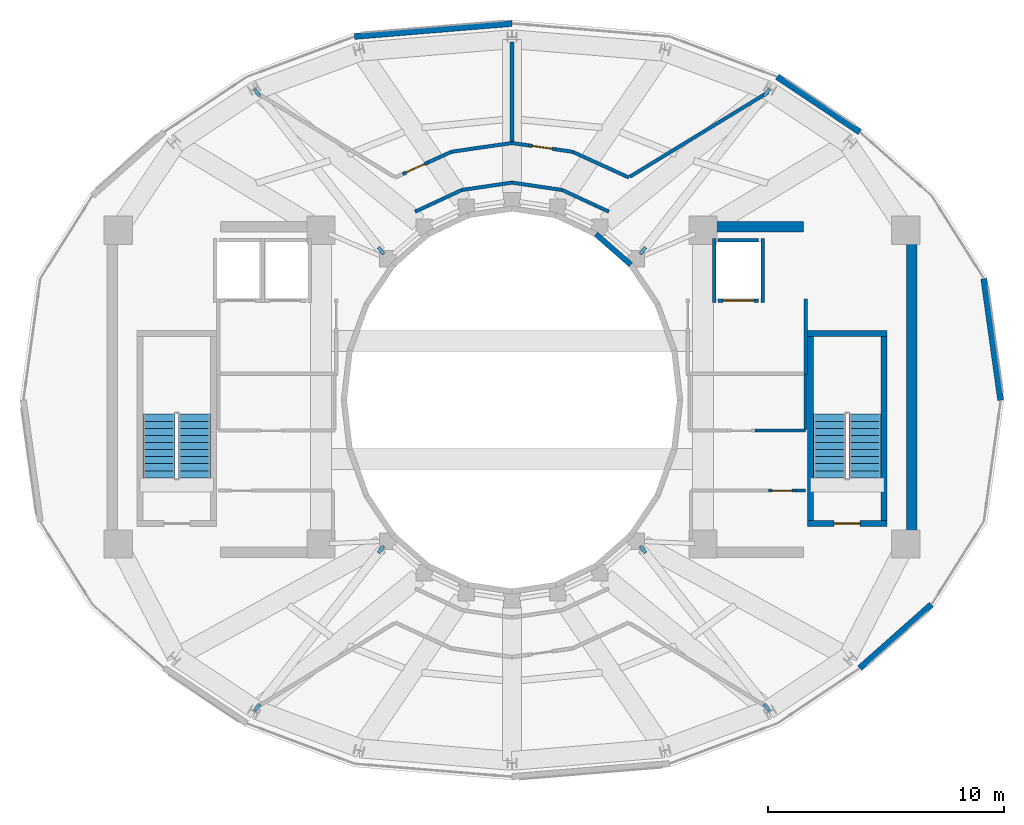
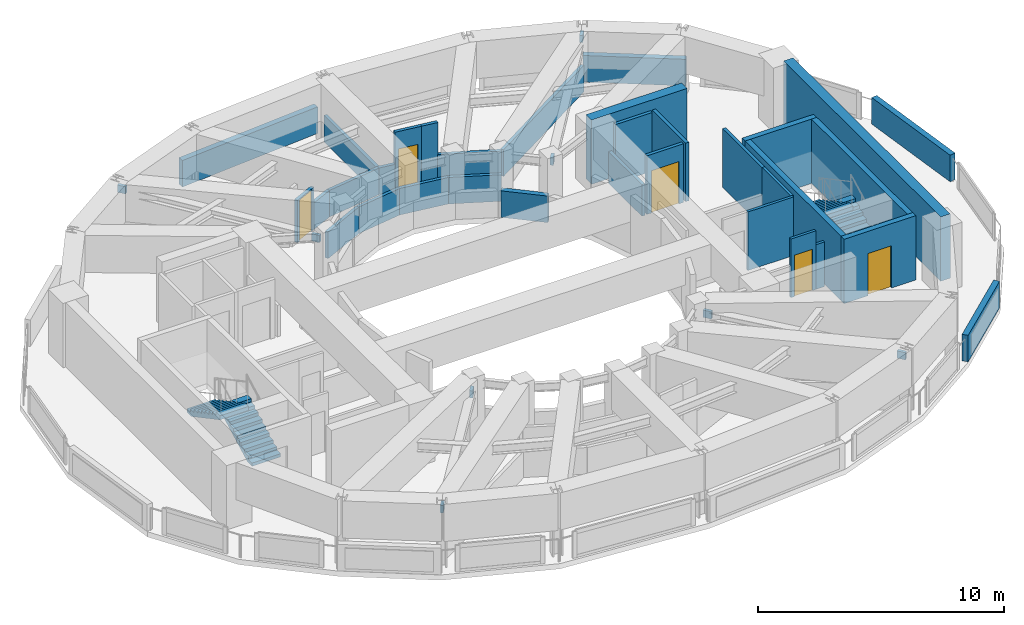
# One storey, part 15 of 18: 33 walls, 8 discrete accessories, 5 doors, 4 stair flights, 5 openings, 2 elements without a shape of their own.
"""IFC4 building model written with IfcOpenShell, lengths in metres."""

import ifcopenshell
import ifcopenshell.guid

model = None  # the IFC model being written
_history = None  # IfcOwnerHistory: only IFC2X3 demands one
_inside = {}  # id of a spatial element -> (the spatial element, [elements in it])
_under = {}  # id of a project, library or spatial element -> (it, [spatial elements below it])
_declared = {}  # id of a project -> (the project, [libraries it declares])
_typed = {}  # id of a type object -> (the type object, [elements of that type])
_made_of = {}  # id of a material, layer set ... -> (it, [elements and type objects made of it])


def new_model(schema):
    """Start an empty IFC model of exactly this schema.

    Asked for "IFC4X3", IfcOpenShell would pick the latest addendum, in which some entities
    have other attributes; the version numbers below select the first issue.
    IFC2X3 requires an IfcOwnerHistory on every rooted entity: one is made here for all.
    """
    global model, _history
    if schema == "IFC4X3":
        model = ifcopenshell.file(schema_version=(4, 3, 0, 0))
    else:
        model = ifcopenshell.file(schema=schema)
    _inside.clear()
    _under.clear()
    _declared.clear()
    _typed.clear()
    _made_of.clear()
    _history = None
    if model.schema == "IFC2X3":
        org = make("IfcOrganization", Name="unknown")
        user = make(
            "IfcPersonAndOrganization",
            ThePerson=make("IfcPerson", FamilyName="unknown"),
            TheOrganization=org,
        )
        app = make(
            "IfcApplication",
            ApplicationDeveloper=org,
            Version="unknown",
            ApplicationFullName="unknown",
            ApplicationIdentifier="unknown",
        )
        _history = make(
            "IfcOwnerHistory",
            OwningUser=user,
            OwningApplication=app,
            ChangeAction="ADDED",
            CreationDate=0,
        )
    return model


def make(cls, **values):
    """One entity of the class cls with the attributes given. An attribute that is None is left unset."""
    return model.create_entity(
        cls, **{name: value for name, value in values.items() if value is not None}
    )


def rooted(cls, **values):
    """An entity with a GlobalId (a new one), such as an element, a storey or a relation."""
    return make(cls, GlobalId=ifcopenshell.guid.new(), OwnerHistory=_history, **values)


def si_unit(unit_type, name, prefix=None):
    """IfcSIUnit, for example si_unit("LENGTHUNIT", "METRE", prefix="MILLI")."""
    return make("IfcSIUnit", UnitType=unit_type, Prefix=prefix, Name=name)


def assignment(units):
    """IfcUnitAssignment: the units of a project."""
    return None if units is None else make("IfcUnitAssignment", Units=units)


def point(xyz):
    """IfcCartesianPoint."""
    return None if xyz is None else make("IfcCartesianPoint", Coordinates=xyz)


def direction(xyz):
    """IfcDirection."""
    return None if xyz is None else make("IfcDirection", DirectionRatios=xyz)


def frame(location, z_axis=None, x_axis=None):
    """IfcAxis2Placement3D, a coordinate frame: its origin and axes. An axis left out is left unset."""
    return make(
        "IfcAxis2Placement3D",
        Location=point(location),
        Axis=direction(z_axis),
        RefDirection=direction(x_axis),
    )


def frame_2d(location, x_axis=None):
    """IfcAxis2Placement2D, a coordinate frame in the plane: its origin and x axis."""
    return make(
        "IfcAxis2Placement2D", Location=point(location), RefDirection=direction(x_axis)
    )


def origin():
    """The frame at (0, 0, 0) with its axes left unset."""
    return frame((0.0, 0.0, 0.0))


def origin_2d():
    """The frame at (0, 0) in the plane with its x axis left unset."""
    return frame_2d((0.0, 0.0))


def place(relative_to, where):
    """IfcLocalPlacement: puts the frame where relative to a parent placement (None: the world)."""
    return make(
        "IfcLocalPlacement", PlacementRelTo=relative_to, RelativePlacement=where
    )


def context(
    kind, dimensions, precision=None, world=None, true_north=None, identifier=None
):
    """IfcGeometricRepresentationContext, for example the 3D "Model" context."""
    return make(
        "IfcGeometricRepresentationContext",
        ContextIdentifier=identifier,
        ContextType=kind,
        CoordinateSpaceDimension=dimensions,
        Precision=precision,
        WorldCoordinateSystem=world,
        TrueNorth=true_north,
    )


def subcontext(parent, identifier, kind, view, scale=None):
    """IfcGeometricRepresentationSubContext, for example "Body" below "Model"."""
    return make(
        "IfcGeometricRepresentationSubContext",
        ContextIdentifier=identifier,
        ContextType=kind,
        ParentContext=parent,
        TargetScale=scale,
        TargetView=view,
    )


def project(units=None, contexts=None):
    """IfcProject with its units and contexts."""
    return rooted(
        "IfcProject",
        Name="project",
        RepresentationContexts=contexts,
        UnitsInContext=assignment(units),
    )


def spatial(cls, under=None, at=None, **own):
    """A site, building, storey or space (cls), placed at a placement, below another one or the project."""
    s = rooted(cls, ObjectPlacement=at, **own)
    if under is not None:
        _under.setdefault(under.id(), (under, []))[1].append(s)
    return s


def polyline(points):
    """IfcPolyline through the points."""
    return make("IfcPolyline", Points=[point(p) for p in points])


def profile(cls, at=None, kind="AREA", **sizes):
    """A parametric profile (cls). Its sizes go by their IFC names, for example OverallWidth=200.0."""
    return make(cls, ProfileType=kind, Position=at, **sizes)


def rectangle(**sizes):
    """IfcRectangleProfileDef."""
    return profile("IfcRectangleProfileDef", **sizes)


def outline(outer, holes=None, kind="AREA"):
    """IfcArbitraryClosedProfileDef: a profile drawn as a closed curve; with holes, ...WithVoids."""
    if holes is None:
        return make("IfcArbitraryClosedProfileDef", ProfileType=kind, OuterCurve=outer)
    return make(
        "IfcArbitraryProfileDefWithVoids",
        ProfileType=kind,
        OuterCurve=outer,
        InnerCurves=holes,
    )


def extrude(swept, where, along, depth):
    """IfcExtrudedAreaSolid: the profile swept, set in the frame where, extruded along a direction by depth."""
    return make(
        "IfcExtrudedAreaSolid",
        SweptArea=swept,
        Position=where,
        ExtrudedDirection=direction(along),
        Depth=depth,
    )


def shape(context_of_items, identifier, shape_type, items):
    """IfcShapeRepresentation: the items that make up one representation, for example the "Body"."""
    return make(
        "IfcShapeRepresentation",
        ContextOfItems=context_of_items,
        RepresentationIdentifier=identifier,
        RepresentationType=shape_type,
        Items=items,
    )


def material(Name=None, Category=None):
    """IfcMaterial."""
    return make("IfcMaterial", Name=Name, Category=Category)


def layer(
    of_material, thickness, ventilated=None, Name=None, Category=None, Priority=None
):
    """IfcMaterialLayer: one layer of a wall or slab, of a material (None: an air gap)."""
    return make(
        "IfcMaterialLayer",
        Material=of_material,
        LayerThickness=thickness,
        IsVentilated=ventilated,
        Name=Name,
        Category=Category,
        Priority=Priority,
    )


def layer_set(layers, Name=None):
    """IfcMaterialLayerSet."""
    return make("IfcMaterialLayerSet", MaterialLayers=layers, LayerSetName=Name)


def made_of(thing, what):
    """Note that an element or type object is made of a material, layer set ...; save() writes the relation."""
    if what is not None:
        _made_of.setdefault(what.id(), (what, []))[1].append(thing)
    return thing


def type_object(cls, material=None, **own):
    """A type object (cls), such as IfcWallType, which elements share."""
    return made_of(rooted(cls, **own), material)


def element(
    cls,
    number,
    at=None,
    inside=None,
    cuts=None,
    type_object=None,
    material=None,
    context=None,
    identifier="Body",
    shape_type=None,
    held_by="IfcProductDefinitionShape",
    body=None,
    shapes=None,
    **own,
):
    """One element of the class cls, such as IfcWall. Its Tag is "e" and its number.

    at: its placement. inside: the storey or other place that contains it. cuts: it is an
    opening in that element (IfcRelVoidsElement). A single representation is given by context,
    identifier, shape_type and body (its items); several are given by shapes. held_by: the class
    of the entity that holds the representations. save() writes the other relations.
    """
    e = rooted(cls, Tag="e%d" % number, ObjectPlacement=at, **own)
    if body is not None:
        shapes = [shape(context, identifier, shape_type, body)]
    if shapes is not None:
        e.Representation = make(held_by, Representations=shapes)
    if inside is not None:
        _inside.setdefault(inside.id(), (inside, []))[1].append(e)
    if cuts is not None:
        rooted(
            "IfcRelVoidsElement", RelatingBuildingElement=cuts, RelatedOpeningElement=e
        )
    if type_object is not None:
        _typed.setdefault(type_object.id(), (type_object, []))[1].append(e)
    return made_of(e, material)


def fill(opening, filler):
    """IfcRelFillsElement: the door or window that sits in an opening."""
    return rooted(
        "IfcRelFillsElement",
        RelatingOpeningElement=opening,
        RelatedBuildingElement=filler,
    )


def aggregate(whole, parts):
    """IfcRelAggregates: a whole, such as a stair, and the parts it consists of."""
    return rooted("IfcRelAggregates", RelatingObject=whole, RelatedObjects=parts)


def save(model, path):
    """Write the relations noted so far, then the file.

    IfcRelAggregates (storeys below a building ...), IfcRelContainedInSpatialStructure (elements
    in a storey), IfcRelDefinesByType, IfcRelAssociatesMaterial and IfcRelDeclares: one each for
    every whole, place, type object, material and project.
    """
    for whole, parts in _under.values():
        aggregate(whole, parts)
    for where, things in _inside.values():
        rooted(
            "IfcRelContainedInSpatialStructure",
            RelatedElements=things,
            RelatingStructure=where,
        )
    for kind, things in _typed.values():
        rooted("IfcRelDefinesByType", RelatedObjects=things, RelatingType=kind)
    for what, things in _made_of.values():
        rooted("IfcRelAssociatesMaterial", RelatedObjects=things, RelatingMaterial=what)
    for by, libraries in _declared.values():
        rooted("IfcRelDeclares", RelatingContext=by, RelatedDefinitions=libraries)
    model.write(path)


model = new_model("IFC4")

# Units and contexts
model_context = context("Model", 3, precision=1e-05, world=origin(), true_north=direction((0.0, 1.0)))
body_context = subcontext(model_context, "Body", "Model", "MODEL_VIEW")
ifc_project = project(units=[si_unit("LENGTHUNIT", "METRE"), si_unit("AREAUNIT", "SQUARE_METRE"), si_unit("VOLUMEUNIT", "CUBIC_METRE"), si_unit("PLANEANGLEUNIT", "RADIAN"), si_unit("MASSUNIT", "GRAM", prefix="KILO")], contexts=[model_context])

# Site, building, storey
site_placement = place(None, origin())
site = spatial("IfcSite", under=ifc_project, at=site_placement, CompositionType="ELEMENT")
building_placement = place(site_placement, origin())
building = spatial("IfcBuilding", under=site, at=building_placement, Name="Solvane Sanctuary Tower", CompositionType="ELEMENT")
storey_placement = place(building_placement, frame((0.0, 0.0, 263.60009765625)))
storey = spatial("IfcBuildingStorey", under=building, at=storey_placement, Name="L80", CompositionType="ELEMENT", Elevation=263.60009765625)

# Walls
ifc_material_1 = material(Name="Concrete C50/60", Category="concrete")
ifc_layer_1 = layer(ifc_material_1, 0.449951171875, Name="Concrete C50/60")
ifc_layer_set_1 = layer_set([ifc_layer_1], Name="Concrete C50/60")
wall_type_1 = type_object("IfcWallType", Name="Wall W-CORE-450", PredefinedType="SHEAR", material=ifc_layer_set_1)
wall_1_placement = place(storey_placement, frame((48.949951171875, 17.050048828125, 0.0), z_axis=(0.0, 0.0, 1.0), x_axis=(0.0, 1.0, 0.0)))
element("IfcWall", 1, at=wall_1_placement, inside=storey, type_object=wall_type_1, Name="L80 Core Shear Wall EC-E", PredefinedType="SHEAR", context=body_context, shape_type="SweptSolid", body=[
    extrude(rectangle(XDim=12.800048828125, YDim=0.449951171875, at=frame_2d((6.39990234375, 0.0))), origin(), (0.0, 0.0, 1.0), 3.199951171875),
])
wall_2_placement = place(storey_placement, frame((39.85009765625, 30.35009765625, 0.0), z_axis=(0.0, 0.0, 1.0), x_axis=(1.0, 0.0, 0.0)))
element("IfcWall", 2, at=wall_2_placement, inside=storey, type_object=wall_type_1, Name="L80 Core Shear Wall EC-N", PredefinedType="SHEAR", context=body_context, shape_type="SweptSolid", body=[
    extrude(rectangle(XDim=4.5, YDim=0.449951171875, at=frame_2d((2.25, 0.0))), origin(), (0.0, 0.0, 1.0), 3.199951171875),
])
ifc_material_2 = material(Name="Acoustic Gypsum Partition Board")
ifc_layer_2 = layer(ifc_material_2, 0.14990234375, Name="Acoustic Gypsum Partition Board")
ifc_layer_set_2 = layer_set([ifc_layer_2], Name="Acoustic Gypsum Partition Board")
wall_type_2 = type_object("IfcWallType", Name="Wall W-CORR-150", PredefinedType="PARTITIONING", material=ifc_layer_set_2)
wall_3_placement = place(storey_placement, frame((44.449951171875, 24.080078125, 0.0), z_axis=(0.0, 0.0, 1.0), x_axis=(0.0, 1.0, 0.0)))
element("IfcWall", 3, at=wall_3_placement, inside=storey, type_object=wall_type_2, Name="L80 East Firefighting Lobby East Wall", PredefinedType="PARTITIONING", context=body_context, shape_type="SweptSolid", body=[
    extrude(rectangle(XDim=3.199951171875, YDim=0.14990234375, at=frame_2d((1.60009765625, 0.0))), origin(), (0.0, 0.0, 1.0), 2.914794921875),
])
wall_4_placement = place(storey_placement, frame((36.110107421875, 30.98486328125, 0.0), z_axis=(0.0, 0.0, 1.0), x_axis=(-0.906943449489, 0.421252393975, 0.0)))
element("IfcWall", 4, at=wall_4_placement, inside=storey, type_object=wall_type_2, Name="L80 Light-Well Corridor Rim Wall N1", PredefinedType="PARTITIONING", context=body_context, shape_type="SweptSolid", body=[
    extrude(rectangle(XDim=2.18603515625, YDim=0.14990234375, at=frame_2d((1.093017578125, 0.0))), origin(), (0.0, 0.0, 1.0), 1.31982421875),
])
for number, where, z_axis, x_axis, name in (
    (5, (34.12744140625, 31.90576171875, 0.0), (0.0, 0.0, 1.0), (-0.989268584896, 0.146108408166, 0.0), "L80 Light-Well Corridor Rim Wall N2"),
    (6, (32.0, 32.219970703125, 0.0), (0.0, 0.0, 1.0), (-0.989268584896, -0.146108408166, 0.0), "L80 Light-Well Corridor Rim Wall N3"),
):
    element("IfcWall", number, at=place(storey_placement, frame(where, z_axis=z_axis, x_axis=x_axis)), inside=storey, type_object=wall_type_2, Name=name, PredefinedType="PARTITIONING", context=body_context, shape_type="SweptSolid", body=[
        extrude(rectangle(XDim=2.150634765625, YDim=0.14990234375, at=frame_2d((1.0751953125, 0.0))), origin(), (0.0, 0.0, 1.0), 1.31982421875),
    ])
wall_5_placement = place(storey_placement, frame((29.87255859375, 31.90576171875, 0.0), z_axis=(0.0, 0.0, 1.0), x_axis=(-0.906943449489, -0.421252393975, 0.0)))
element("IfcWall", 7, at=wall_5_placement, inside=storey, type_object=wall_type_2, Name="L80 Light-Well Corridor Rim Wall N4", PredefinedType="PARTITIONING", context=body_context, shape_type="SweptSolid", body=[
    extrude(rectangle(XDim=2.18603515625, YDim=0.14990234375, at=frame_2d((1.093017578125, 0.0))), origin(), (0.0, 0.0, 1.0), 1.31982421875),
])
wall_6_placement = place(storey_placement, frame((36.996826171875, 32.468505859375, 0.0), z_axis=(0.0, 0.0, 1.0), x_axis=(0.853465247428, 0.521149759122, 0.0)))
element("IfcWall", 8, at=wall_6_placement, inside=storey, type_object=wall_type_2, Name="L80 Mechanical Plant Radial Wall 060", PredefinedType="PARTITIONING", context=body_context, shape_type="SweptSolid", body=[
    extrude(rectangle(XDim=6.842041015625, YDim=0.14990234375, at=frame_2d((3.4208984375, 0.0))), origin(), (0.0, 0.0, 1.0), 1.31982421875),
])
wall_7_placement = place(storey_placement, frame((32.0, 33.955078125, 0.0), z_axis=(0.0, 0.0, 1.0), x_axis=(0.0, 1.0, 0.0)))
element("IfcWall", 9, at=wall_7_placement, inside=storey, type_object=wall_type_2, Name="L80 Mechanical Plant Radial Wall 090", PredefinedType="PARTITIONING", context=body_context, shape_type="SweptSolid", body=[
    extrude(rectangle(XDim=4.23388671875, YDim=0.14990234375, at=frame_2d((2.116943359375, 0.0))), origin(), (0.0, 0.0, 1.0), 1.31982421875),
])
wall_8_placement = place(storey_placement, frame((36.9560546875, 32.435791015625, 0.0), z_axis=(0.0, 0.0, 1.0), x_axis=(-0.909736731002, 0.415185597373, 0.0)))
element("IfcWall", 10, at=wall_8_placement, inside=storey, type_object=wall_type_2, Name="L80 Plant Corridor Wall 1", PredefinedType="PARTITIONING", context=body_context, shape_type="SweptSolid", body=[
    extrude(rectangle(XDim=2.63330078125, YDim=0.14990234375, at=frame_2d((1.316650390625, 0.0))), origin(), (0.0, 0.0, 1.0), 1.31982421875),
])
wall_9_placement = place(storey_placement, frame((34.56396484375, 33.528076171875, 0.0), z_axis=(0.0, 0.0, 1.0), x_axis=(-0.98967396594, 0.143336810138, 0.0)))
element("IfcWall", 11, at=wall_9_placement, inside=storey, type_object=wall_type_2, Name="L80 Plant Corridor Wall 1", PredefinedType="PARTITIONING", context=body_context, shape_type="SweptSolid", body=[
    extrude(rectangle(XDim=0.713623046875, YDim=0.14990234375, at=frame_2d((0.35693359375, 0.0))), origin(), (0.0, 0.0, 1.0), 2.914794921875),
])

# Wall, opening, door
wall_10_placement = place(storey_placement, frame((33.857666015625, 33.63037109375, 0.0), z_axis=(0.0, 0.0, 1.0), x_axis=(-0.989701767603, 0.143144721184, 0.0)))
wall_10 = element("IfcWall", 12, at=wall_10_placement, inside=storey, type_object=wall_type_2, Name="L80 Plant Corridor Wall 1", PredefinedType="PARTITIONING", context=body_context, shape_type="SweptSolid", body=[
    extrude(rectangle(XDim=1.169921875, YDim=0.14990234375, at=frame_2d((0.5849609375, 0.0))), origin(), (0.0, 0.0, 1.0), 2.914794921875),
])
opening_1_placement = place(wall_10_placement, frame((0.159912109375, 0.0, 0.0)))
opening_1 = element("IfcOpeningElement", 13, at=opening_1_placement, cuts=wall_10, Name="Opening D-L80-09", PredefinedType="OPENING", context=body_context, shape_type="SweptSolid", body=[
    extrude(rectangle(XDim=0.85009765625, YDim=2.050048828125, at=frame_2d((0.425048828125, 1.02490234375))), frame((0.0, 0.0849609375, 0.0), z_axis=(0.0, -1.0, 0.0), x_axis=(1.0, 0.0, 0.0)), (0.0, 0.0, 1.0), 0.169921875),
])
ifc_material_3 = material(Name="Architectural Stainless Steel 316", Category="steel")
door_type_1 = type_object("IfcDoorType", Name="Door D-RISER", OperationType="NOTDEFINED", PredefinedType="DOOR", material=ifc_material_3)
door_1_placement = place(opening_1_placement, origin())
door_1 = element("IfcDoor", 14, at=door_1_placement, inside=storey, type_object=door_type_1, Name="L80 Plant Room Door 1", OperationType="SINGLE_SWING_RIGHT", OverallHeight=2.050048828125, OverallWidth=0.85009765625, PredefinedType="DOOR", context=body_context, shape_type="SweptSolid", body=[
    extrude(rectangle(XDim=0.85009765625, YDim=2.050048828125, at=frame_2d((0.425048828125, 1.02490234375))), frame((0.0, 0.02490234375, 0.0), z_axis=(0.0, -1.0, 0.0), x_axis=(1.0, 0.0, 0.0)), (0.0, 0.0, 1.0), 0.050048828125),
])
fill(opening_1, door_1)

# Walls
wall_11_placement = place(storey_placement, frame((32.69970703125, 33.7978515625, 0.0), z_axis=(0.0, 0.0, 1.0), x_axis=(-0.989729432137, 0.142953318118, 0.0)))
element("IfcWall", 15, at=wall_11_placement, inside=storey, type_object=wall_type_2, Name="L80 Plant Corridor Wall 1", PredefinedType="PARTITIONING", context=body_context, shape_type="SweptSolid", body=[
    extrude(rectangle(XDim=0.7138671875, YDim=0.14990234375, at=frame_2d((0.35693359375, 0.0))), origin(), (0.0, 0.0, 1.0), 1.31982421875),
])
wall_12_placement = place(storey_placement, frame((32.0068359375, 33.89990234375, 0.0), z_axis=(0.0, 0.0, 1.0), x_axis=(-0.989701742337, -0.143144895876, 0.0)))
element("IfcWall", 16, at=wall_12_placement, inside=storey, type_object=wall_type_2, Name="L80 Plant Corridor Wall 2", PredefinedType="PARTITIONING", context=body_context, shape_type="SweptSolid", body=[
    extrude(rectangle(XDim=2.59765625, YDim=0.14990234375, at=frame_2d((1.298828125, 0.0))), origin(), (0.0, 0.0, 1.0), 1.31982421875),
])
wall_13_placement = place(storey_placement, frame((29.439453125, 33.529052734375, 0.0), z_axis=(0.0, 0.0, 1.0), x_axis=(-0.909797051829, -0.415053399557, 0.0)))
element("IfcWall", 17, at=wall_13_placement, inside=storey, type_object=wall_type_2, Name="L80 Plant Corridor Wall 2", PredefinedType="PARTITIONING", context=body_context, shape_type="SweptSolid", body=[
    extrude(rectangle(XDim=1.102783203125, YDim=0.14990234375, at=frame_2d((0.55126953125, 0.0))), origin(), (0.0, 0.0, 1.0), 1.31982421875),
])

# Wall, opening, door
wall_14_placement = place(storey_placement, frame((28.43603515625, 33.0712890625, 0.0), z_axis=(0.0, 0.0, 1.0), x_axis=(-0.90972227288, -0.415217275925, 0.0)))
wall_14 = element("IfcWall", 18, at=wall_14_placement, inside=storey, type_object=wall_type_2, Name="L80 Plant Corridor Wall 2", PredefinedType="PARTITIONING", context=body_context, shape_type="SweptSolid", body=[
    extrude(rectangle(XDim=1.170166015625, YDim=0.14990234375, at=frame_2d((0.5849609375, 0.0))), origin(), (0.0, 0.0, 1.0), 2.10986328125),
])
opening_2_placement = place(wall_14_placement, frame((0.159912109375, 0.0, 0.0)))
opening_2 = element("IfcOpeningElement", 19, at=opening_2_placement, cuts=wall_14, Name="Opening D-L80-10", PredefinedType="OPENING", context=body_context, shape_type="SweptSolid", body=[
    extrude(rectangle(XDim=0.85009765625, YDim=2.050048828125, at=frame_2d((0.425048828125, 1.02490234375))), frame((0.0, 0.0849609375, 0.0), z_axis=(0.0, -1.0, 0.0), x_axis=(1.0, 0.0, 0.0)), (0.0, 0.0, 1.0), 0.169921875),
])
door_2_placement = place(opening_2_placement, origin())
door_2 = element("IfcDoor", 20, at=door_2_placement, inside=storey, type_object=door_type_1, Name="L80 Plant Room Door 2", OperationType="SINGLE_SWING_LEFT", OverallHeight=2.050048828125, OverallWidth=0.85009765625, PredefinedType="DOOR", context=body_context, shape_type="SweptSolid", body=[
    extrude(rectangle(XDim=0.85009765625, YDim=2.050048828125, at=frame_2d((0.425048828125, 1.02490234375))), frame((0.0, 0.02490234375, 0.0), z_axis=(0.0, -1.0, 0.0), x_axis=(1.0, 0.0, 0.0)), (0.0, 0.0, 1.0), 0.050048828125),
])
fill(opening_2, door_2)

# Walls
ifc_material_4 = material(Name="Precast concrete C40/50", Category="concrete")
ifc_layer_3 = layer(ifc_material_4, 0.260009765625, Name="Precast concrete C40/50")
ifc_layer_set_3 = layer_set([ifc_layer_3], Name="Precast concrete C40/50")
wall_type_3 = type_object("IfcWallType", Name="Wall W-EXT-250", PredefinedType="STANDARD", material=ifc_layer_set_3)
wall_15_placement = place(storey_placement, frame((52.719970703125, 23.0, 0.0), z_axis=(0.0, 0.0, 1.0), x_axis=(-0.137801477505, 0.990459869352, 0.0)))
element("IfcWall", 21, at=wall_15_placement, inside=storey, type_object=wall_type_3, Name="L80 Crown Acoustic Louvred Wall 00", PredefinedType="STANDARD", context=body_context, shape_type="SweptSolid", body=[
    extrude(rectangle(XDim=5.194580078125, YDim=0.260009765625, at=frame_2d((2.59716796875, 0.0))), origin(), (0.0, 0.0, 1.0), 1.31982421875),
])
wall_16_placement = place(storey_placement, frame((46.746337890625, 34.364990234375, 0.0), z_axis=(0.0, 0.0, 1.0), x_axis=(-0.83095030216, 0.556346650336, 0.0)))
element("IfcWall", 22, at=wall_16_placement, inside=storey, type_object=wall_type_3, Name="L80 Crown Acoustic Louvred Wall 03", PredefinedType="STANDARD", context=body_context, shape_type="SweptSolid", body=[
    extrude(rectangle(XDim=4.2060546875, YDim=0.260009765625, at=frame_2d((2.10302734375, 0.0))), origin(), (0.0, 0.0, 1.0), 1.31982421875),
])
wall_17_placement = place(storey_placement, frame((32.0, 38.968994140625, 0.0), z_axis=(0.0, 0.0, 1.0), x_axis=(-0.996601833255, -0.08236981214, 0.0)))
element("IfcWall", 23, at=wall_17_placement, inside=storey, type_object=wall_type_3, Name="L80 Crown Acoustic Louvred Wall 06", PredefinedType="STANDARD", context=body_context, shape_type="SweptSolid", body=[
    extrude(rectangle(XDim=6.698486328125, YDim=0.260009765625, at=frame_2d((3.34912109375, 0.0))), origin(), (0.0, 0.0, 1.0), 1.31982421875),
])
wall_18_placement = place(storey_placement, frame((46.746337890625, 11.635009765625, 0.0), z_axis=(0.0, 0.0, 1.0), x_axis=(0.748042849834, 0.663650431185, 0.0)))
element("IfcWall", 24, at=wall_18_placement, inside=storey, type_object=wall_type_3, Name="L80 Crown Acoustic Louvred Wall 21", PredefinedType="STANDARD", context=body_context, shape_type="SweptSolid", body=[
    extrude(rectangle(XDim=4.058837890625, YDim=0.260009765625, at=frame_2d((2.029296875, 0.0))), origin(), (0.0, 0.0, 1.0), 1.31982421875),
])
ifc_layer_4 = layer(ifc_material_4, 0.22998046875, Name="Precast concrete C40/50")
ifc_layer_set_4 = layer_set([ifc_layer_4], Name="Precast concrete C40/50")
wall_type_4 = type_object("IfcWallType", Name="Wall W-EXT-SP220", PredefinedType="STANDARD", material=ifc_layer_set_4)
wall_19_placement = place(storey_placement, frame((37.03466796875, 28.74169921875, 0.0), z_axis=(0.0, 0.0, 1.0), x_axis=(-0.752576694707, 0.658504607869, 0.0)))
element("IfcWall", 25, at=wall_19_placement, inside=storey, type_object=wall_type_4, Name="L80 Central Light-Well Wall 03", PredefinedType="STANDARD", context=body_context, shape_type="SweptSolid", body=[
    extrude(rectangle(XDim=1.95947265625, YDim=0.22998046875, at=frame_2d((0.979736328125, 0.0))), origin(), (0.0, 0.0, 1.0), 1.31982421875),
])

# Wall, opening, door
ifc_layer_5 = layer(ifc_material_2, 0.125, Name="Acoustic Gypsum Partition Board")
ifc_layer_set_5 = layer_set([ifc_layer_5], Name="Acoustic Gypsum Partition Board")
wall_type_5 = type_object("IfcWallType", Name="Wall W-PART-125", PredefinedType="PARTITIONING", material=ifc_layer_set_5)
wall_20_placement = place(storey_placement, frame((42.8701171875, 19.159912109375, 0.0), z_axis=(0.0, 0.0, 1.0), x_axis=(1.0, 0.0, 0.0)))
wall_20 = element("IfcWall", 26, at=wall_20_placement, inside=storey, type_object=wall_type_5, Name="L80 Reclaimed Room Partition PLE", PredefinedType="PARTITIONING", context=body_context, shape_type="SweptSolid", body=[
    extrude(rectangle(XDim=1.169921875, YDim=0.125, at=frame_2d((0.5849609375, 0.0))), origin(), (0.0, 0.0, 1.0), 2.914794921875),
])
opening_3_placement = place(wall_20_placement, frame((0.159912109375, 0.0, 0.0)))
opening_3 = element("IfcOpeningElement", 27, at=opening_3_placement, cuts=wall_20, Name="Opening D-L80-06", PredefinedType="OPENING", context=body_context, shape_type="SweptSolid", body=[
    extrude(rectangle(XDim=0.85009765625, YDim=2.050048828125, at=frame_2d((0.425048828125, 1.02490234375))), frame((0.0, 0.072509765625, 0.0), z_axis=(0.0, -1.0, 0.0), x_axis=(1.0, 0.0, 0.0)), (0.0, 0.0, 1.0), 0.14501953125),
])
door_3_placement = place(opening_3_placement, origin())
door_3 = element("IfcDoor", 28, at=door_3_placement, inside=storey, type_object=door_type_1, Name="L80 Reclaimed Room Door PLE-1", OperationType="SINGLE_SWING_LEFT", OverallHeight=2.050048828125, OverallWidth=0.85009765625, PredefinedType="DOOR", context=body_context, shape_type="SweptSolid", body=[
    extrude(rectangle(XDim=0.85009765625, YDim=2.050048828125, at=frame_2d((0.425048828125, 1.02490234375))), frame((0.0, 0.02490234375, 0.0), z_axis=(0.0, -1.0, 0.0), x_axis=(1.0, 0.0, 0.0)), (0.0, 0.0, 1.0), 0.050048828125),
])
fill(opening_3, door_3)

# Walls
wall_21_placement = place(storey_placement, frame((44.0400390625, 19.159912109375, 0.0), z_axis=(0.0, 0.0, 1.0), x_axis=(1.0, 0.0, 0.0)))
element("IfcWall", 29, at=wall_21_placement, inside=storey, type_object=wall_type_5, Name="L80 Reclaimed Room Partition PLE", PredefinedType="PARTITIONING", context=body_context, shape_type="SweptSolid", body=[
    extrude(rectangle(XDim=0.409912109375, YDim=0.125, at=frame_2d((0.205078125, 0.0))), origin(), (0.0, 0.0, 1.0), 2.219970703125),
])
wall_22_placement = place(storey_placement, frame((42.31005859375, 21.699951171875, 0.0), z_axis=(0.0, 0.0, 1.0), x_axis=(1.0, 0.0, 0.0)))
element("IfcWall", 30, at=wall_22_placement, inside=storey, type_object=wall_type_5, Name="L80 Reclaimed Room Partition PME", PredefinedType="PARTITIONING", context=body_context, shape_type="SweptSolid", body=[
    extrude(rectangle(XDim=2.139892578125, YDim=0.125, at=frame_2d((1.06982421875, 0.0))), origin(), (0.0, 0.0, 1.0), 2.914794921875),
])
wall_23_placement = place(storey_placement, frame((44.449951171875, 21.760009765625, 0.0), z_axis=(0.0, 0.0, 1.0), x_axis=(0.0, 1.0, 0.0)))
element("IfcWall", 31, at=wall_23_placement, inside=storey, type_object=wall_type_5, Name="L80 Reclaimed Room Closer Wall PME-2", PredefinedType="PARTITIONING", context=body_context, shape_type="SweptSolid", body=[
    extrude(rectangle(XDim=2.320068359375, YDim=0.125, at=frame_2d((1.16015625, 0.0))), origin(), (0.0, 0.0, 1.0), 2.914794921875),
])

# Wall, opening, door
ifc_layer_6 = layer(ifc_material_1, 0.14990234375, Name="Concrete C50/60")
ifc_layer_set_6 = layer_set([ifc_layer_6], Name="Concrete C50/60")
wall_type_6 = type_object("IfcWallType", Name="Wall W-SHAFT-150", PredefinedType="SOLIDWALL", material=ifc_layer_set_6)
wall_24_placement = place(storey_placement, frame((40.739990234375, 27.219970703125, 0.0), z_axis=(0.0, 0.0, 1.0), x_axis=(1.0, 0.0, 0.0)))
wall_24 = element("IfcWall", 32, at=wall_24_placement, inside=storey, type_object=wall_type_6, Name="L80 FFL-2 Lift Shaft Wall F", PredefinedType="SOLIDWALL", context=body_context, shape_type="SweptSolid", body=[
    extrude(rectangle(XDim=1.719970703125, YDim=0.14990234375, at=frame_2d((0.85986328125, 0.0))), origin(), (0.0, 0.0, 1.0), 2.914794921875),
])
opening_4_placement = place(wall_24_placement, frame((0.2099609375, 0.0, 0.0)))
opening_4 = element("IfcOpeningElement", 33, at=opening_4_placement, cuts=wall_24, Name="Opening LD-L80-03", PredefinedType="OPENING", context=body_context, shape_type="SweptSolid", body=[
    extrude(rectangle(XDim=1.300048828125, YDim=2.10009765625, at=frame_2d((0.64990234375, 1.050048828125))), frame((0.0, 0.0849609375, 0.0), z_axis=(0.0, -1.0, 0.0), x_axis=(1.0, 0.0, 0.0)), (0.0, 0.0, 1.0), 0.169921875),
])
door_type_2 = type_object("IfcDoorType", Name="Door LD-FFL-1300", OperationType="NOTDEFINED", PredefinedType="DOOR", material=ifc_material_3)
door_4_placement = place(opening_4_placement, origin())
door_4 = element("IfcDoor", 34, at=door_4_placement, inside=storey, type_object=door_type_2, Name="L80 FFL-2 Lift Landing Door", OperationType="DOUBLE_DOOR_SLIDING", OverallHeight=2.10009765625, OverallWidth=1.300048828125, PredefinedType="DOOR", context=body_context, shape_type="SweptSolid", body=[
    extrude(rectangle(XDim=1.300048828125, YDim=2.10009765625, at=frame_2d((0.64990234375, 1.050048828125))), frame((0.0, 0.02490234375, 0.0), z_axis=(0.0, -1.0, 0.0), x_axis=(1.0, 0.0, 0.0)), (0.0, 0.0, 1.0), 0.050048828125),
])
fill(opening_4, door_4)

# Walls
wall_25_placement = place(storey_placement, frame((40.739990234375, 29.780029296875, 0.0), z_axis=(0.0, 0.0, 1.0), x_axis=(1.0, 0.0, 0.0)))
element("IfcWall", 35, at=wall_25_placement, inside=storey, type_object=wall_type_6, Name="L80 FFL-2 Lift Shaft Wall B", PredefinedType="SOLIDWALL", context=body_context, shape_type="SweptSolid", body=[
    extrude(rectangle(XDim=1.719970703125, YDim=0.14990234375, at=frame_2d((0.85986328125, 0.0))), origin(), (0.0, 0.0, 1.0), 2.914794921875),
])
wall_26_placement = place(storey_placement, frame((40.570068359375, 27.139892578125, 0.0), z_axis=(0.0, 0.0, 1.0), x_axis=(0.0, 1.0, 0.0)))
element("IfcWall", 36, at=wall_26_placement, inside=storey, type_object=wall_type_6, Name="L80 FFL-2 Lift Shaft Wall S1", PredefinedType="SOLIDWALL", context=body_context, shape_type="SweptSolid", body=[
    extrude(rectangle(XDim=2.72021484375, YDim=0.14990234375, at=frame_2d((1.360107421875, 0.0))), origin(), (0.0, 0.0, 1.0), 1.56982421875),
])
wall_27_placement = place(storey_placement, frame((42.6298828125, 27.139892578125, 0.0), z_axis=(0.0, 0.0, 1.0), x_axis=(0.0, 1.0, 0.0)))
element("IfcWall", 37, at=wall_27_placement, inside=storey, type_object=wall_type_6, Name="L80 FFL-2 Lift Shaft Wall S2", PredefinedType="SOLIDWALL", context=body_context, shape_type="SweptSolid", body=[
    extrude(rectangle(XDim=2.72021484375, YDim=0.14990234375, at=frame_2d((1.360107421875, 0.0))), origin(), (0.0, 0.0, 1.0), 2.914794921875),
])

# Wall, opening, door
ifc_layer_7 = layer(ifc_material_1, 0.25, Name="Concrete C50/60")
ifc_layer_set_7 = layer_set([ifc_layer_7], Name="Concrete C50/60")
wall_type_7 = type_object("IfcWallType", Name="Wall W-SHAFT-250", PredefinedType="SOLIDWALL", material=ifc_layer_set_7)
wall_28_placement = place(storey_placement, frame((44.52490234375, 17.77001953125, 0.0), z_axis=(0.0, 0.0, 1.0), x_axis=(1.0, 0.0, 0.0)))
wall_28 = element("IfcWall", 38, at=wall_28_placement, inside=storey, type_object=wall_type_7, Name="L80 ST-2 Load-Bearing Shaft Wall S", PredefinedType="SOLIDWALL", context=body_context, shape_type="SweptSolid", body=[
    extrude(rectangle(XDim=3.3701171875, YDim=0.25, at=frame_2d((1.68505859375, 0.0))), origin(), (0.0, 0.0, 1.0), 3.199951171875),
])
opening_5_placement = place(wall_28_placement, frame((1.135009765625, 0.0, 0.0)))
opening_5 = element("IfcOpeningElement", 39, at=opening_5_placement, cuts=wall_28, Name="Opening D-L80-02", PredefinedType="OPENING", context=body_context, shape_type="SweptSolid", body=[
    extrude(rectangle(XDim=1.10009765625, YDim=2.10009765625, at=frame_2d((0.550048828125, 1.050048828125))), frame((0.0, 0.135009765625, 0.0), z_axis=(0.0, -1.0, 0.0), x_axis=(1.0, 0.0, 0.0)), (0.0, 0.0, 1.0), 0.27001953125),
])
door_type_3 = type_object("IfcDoorType", Name="Door D-STAIR", OperationType="NOTDEFINED", PredefinedType="DOOR", material=ifc_material_3)
door_5_placement = place(opening_5_placement, origin())
door_5 = element("IfcDoor", 40, at=door_5_placement, inside=storey, type_object=door_type_3, Name="L80 ST-2 Exit Stair Fire Door", OperationType="SINGLE_SWING_RIGHT", OverallHeight=2.10009765625, OverallWidth=1.10009765625, PredefinedType="DOOR", context=body_context, shape_type="SweptSolid", body=[
    extrude(rectangle(XDim=1.10009765625, YDim=2.10009765625, at=frame_2d((0.550048828125, 1.050048828125))), frame((0.0, 0.02490234375, 0.0), z_axis=(0.0, -1.0, 0.0), x_axis=(1.0, 0.0, 0.0)), (0.0, 0.0, 1.0), 0.050048828125),
])
fill(opening_5, door_5)

# Walls
wall_29_placement = place(storey_placement, frame((44.52490234375, 25.830078125, 0.0), z_axis=(0.0, 0.0, 1.0), x_axis=(1.0, 0.0, 0.0)))
element("IfcWall", 41, at=wall_29_placement, inside=storey, type_object=wall_type_7, Name="L80 ST-2 Load-Bearing Shaft Wall N", PredefinedType="SOLIDWALL", context=body_context, shape_type="SweptSolid", body=[
    extrude(rectangle(XDim=3.3701171875, YDim=0.25, at=frame_2d((1.68505859375, 0.0))), origin(), (0.0, 0.0, 1.0), 3.199951171875),
])
for number, where, z_axis, x_axis, name in (
    (42, (44.64990234375, 17.89501953125, 0.0), (0.0, 0.0, 1.0), (0.0, 1.0, 0.0), "L80 ST-2 Load-Bearing Shaft Wall W"),
    (43, (47.77001953125, 17.89501953125, 0.0), (0.0, 0.0, 1.0), (0.0, 1.0, 0.0), "L80 ST-2 Load-Bearing Shaft Wall E"),
):
    element("IfcWall", number, at=place(storey_placement, frame(where, z_axis=z_axis, x_axis=x_axis)), inside=storey, type_object=wall_type_7, Name=name, PredefinedType="SOLIDWALL", context=body_context, shape_type="SweptSolid", body=[
        extrude(rectangle(XDim=7.81005859375, YDim=0.25, at=frame_2d((3.905029296875, 0.0))), origin(), (0.0, 0.0, 1.0), 3.199951171875),
    ])

# Stair, stair flights
ifc_material_5 = material(Name="Concrete C45/55", Category="concrete")
stair_type = type_object("IfcStairType", Name="Stair ST-TOW", PredefinedType="HALF_TURN_STAIR", material=ifc_material_5)
stair_1_placement = place(storey_placement, origin())
stair_1 = element("IfcStair", 44, at=stair_1_placement, inside=storey, type_object=stair_type, Name="L80 Exit Stair ST-1 West Core", PredefinedType="HALF_TURN_STAIR")
stair_flight_type = type_object("IfcStairFlightType", Name="StairFlight SF-TOW", PredefinedType="STRAIGHT", material=ifc_material_5)
stair_flight_1_placement = place(storey_placement, frame((18.544921875, 19.699951171875, 0.0), z_axis=(0.0, 0.0, 1.0), x_axis=(0.0, 1.0, 0.0)))
stair_flight_1 = element("IfcStairFlight", 45, at=stair_flight_1_placement, type_object=stair_flight_type, Name="ST-1 flight 1", NumberOfRisers=10, NumberOfTreads=9, PredefinedType="STRAIGHT", RiserHeight=0.16, TreadLength=0.3, context=body_context, shape_type="SweptSolid", body=[
    extrude(outline(polyline([(0.0, 0.0), (0.0, 0.159912109375), (0.300048828125, 0.159912109375), (0.300048828125, 0.320068359375), (0.60009765625, 0.320068359375), (0.60009765625, 0.47998046875), (0.89990234375, 0.47998046875), (0.89990234375, 0.639892578125), (1.199951171875, 0.639892578125), (1.199951171875, 0.800048828125), (1.5, 0.800048828125), (1.5, 0.9599609375), (1.800048828125, 0.9599609375), (1.800048828125, 1.1201171875), (2.10009765625, 1.1201171875), (2.10009765625, 1.280029296875), (2.39990234375, 1.280029296875), (2.39990234375, 1.43994140625), (2.699951171875, 1.43994140625), (2.699951171875, 1.60009765625), (2.699951171875, 1.236083984375), (0.38232421875, 0.0), (0.0, 0.0)])), frame((0.0, 0.675048828125, 0.0), z_axis=(0.0, -1.0, 0.0), x_axis=(1.0, 0.0, 0.0)), (0.0, 0.0, 1.0), 1.35009765625),
])
stair_flight_2_placement = place(storey_placement, frame((17.034912109375, 22.39990234375, 1.599853515625), z_axis=(0.0, 0.0, 1.0), x_axis=(0.0, -1.0, 0.0)))
stair_flight_2 = element("IfcStairFlight", 46, at=stair_flight_2_placement, type_object=stair_flight_type, Name="ST-1 flight 2", NumberOfRisers=10, NumberOfTreads=9, PredefinedType="STRAIGHT", RiserHeight=0.16, TreadLength=0.3, context=body_context, shape_type="SweptSolid", body=[
    extrude(outline(polyline([(0.0, 0.0), (0.0, 0.159912109375), (0.300048828125, 0.159912109375), (0.300048828125, 0.320068359375), (0.60009765625, 0.320068359375), (0.60009765625, 0.47998046875), (0.89990234375, 0.47998046875), (0.89990234375, 0.639892578125), (1.199951171875, 0.639892578125), (1.199951171875, 0.800048828125), (1.5, 0.800048828125), (1.5, 0.9599609375), (1.800048828125, 0.9599609375), (1.800048828125, 1.1201171875), (2.10009765625, 1.1201171875), (2.10009765625, 1.280029296875), (2.39990234375, 1.280029296875), (2.39990234375, 1.43994140625), (2.699951171875, 1.43994140625), (2.699951171875, 1.60009765625), (2.699951171875, 1.236083984375), (0.38232421875, 0.0), (0.0, 0.0)])), frame((0.0, 0.675048828125, 0.0), z_axis=(0.0, -1.0, 0.0), x_axis=(1.0, 0.0, 0.0)), (0.0, 0.0, 1.0), 1.35009765625),
])
aggregate(stair_1, [stair_flight_1, stair_flight_2])

stair_2_placement = place(storey_placement, origin())
stair_2 = element("IfcStair", 47, at=stair_2_placement, inside=storey, type_object=stair_type, Name="L80 Exit Stair ST-2 East Core", PredefinedType="HALF_TURN_STAIR")
stair_flight_3_placement = place(storey_placement, frame((46.965087890625, 19.699951171875, 0.0), z_axis=(0.0, 0.0, 1.0), x_axis=(0.0, 1.0, 0.0)))
stair_flight_3 = element("IfcStairFlight", 48, at=stair_flight_3_placement, type_object=stair_flight_type, Name="ST-2 flight 1", NumberOfRisers=10, NumberOfTreads=9, PredefinedType="STRAIGHT", RiserHeight=0.16, TreadLength=0.3, context=body_context, shape_type="SweptSolid", body=[
    extrude(outline(polyline([(0.0, 0.0), (0.0, 0.159912109375), (0.300048828125, 0.159912109375), (0.300048828125, 0.320068359375), (0.60009765625, 0.320068359375), (0.60009765625, 0.47998046875), (0.89990234375, 0.47998046875), (0.89990234375, 0.639892578125), (1.199951171875, 0.639892578125), (1.199951171875, 0.800048828125), (1.5, 0.800048828125), (1.5, 0.9599609375), (1.800048828125, 0.9599609375), (1.800048828125, 1.1201171875), (2.10009765625, 1.1201171875), (2.10009765625, 1.280029296875), (2.39990234375, 1.280029296875), (2.39990234375, 1.43994140625), (2.699951171875, 1.43994140625), (2.699951171875, 1.60009765625), (2.699951171875, 1.236083984375), (0.38232421875, 0.0), (0.0, 0.0)])), frame((0.0, 0.675048828125, 0.0), z_axis=(0.0, -1.0, 0.0), x_axis=(1.0, 0.0, 0.0)), (0.0, 0.0, 1.0), 1.35009765625),
])
stair_flight_4_placement = place(storey_placement, frame((45.455078125, 22.39990234375, 1.599853515625), z_axis=(0.0, 0.0, 1.0), x_axis=(0.0, -1.0, 0.0)))
stair_flight_4 = element("IfcStairFlight", 49, at=stair_flight_4_placement, type_object=stair_flight_type, Name="ST-2 flight 2", NumberOfRisers=10, NumberOfTreads=9, PredefinedType="STRAIGHT", RiserHeight=0.16, TreadLength=0.3, context=body_context, shape_type="SweptSolid", body=[
    extrude(outline(polyline([(0.0, 0.0), (0.0, 0.159912109375), (0.300048828125, 0.159912109375), (0.300048828125, 0.320068359375), (0.60009765625, 0.320068359375), (0.60009765625, 0.47998046875), (0.89990234375, 0.47998046875), (0.89990234375, 0.639892578125), (1.199951171875, 0.639892578125), (1.199951171875, 0.800048828125), (1.5, 0.800048828125), (1.5, 0.9599609375), (1.800048828125, 0.9599609375), (1.800048828125, 1.1201171875), (2.10009765625, 1.1201171875), (2.10009765625, 1.280029296875), (2.39990234375, 1.280029296875), (2.39990234375, 1.43994140625), (2.699951171875, 1.43994140625), (2.699951171875, 1.60009765625), (2.699951171875, 1.236083984375), (0.38232421875, 0.0), (0.0, 0.0)])), frame((0.0, 0.675048828125, 0.0), z_axis=(0.0, -1.0, 0.0), x_axis=(1.0, 0.0, 0.0)), (0.0, 0.0, 1.0), 1.35009765625),
])
aggregate(stair_2, [stair_flight_3, stair_flight_4])

# Discrete accessories
ifc_material_6 = material(Name="Steel ASTM A572 Grade 50", Category="steel")
ifc_layer_8 = layer(ifc_material_6, 0.360107421875, Name="Steel ASTM A572 Grade 50")
ifc_layer_set_8 = layer_set([ifc_layer_8], Name="Steel ASTM A572 Grade 50")
discrete_accessory_type = type_object("IfcDiscreteAccessoryType", Name="Accessory ACC-GUSSET-BRK", PredefinedType="BRACKET", material=ifc_layer_set_8)
for number, where, z_axis, x_axis, name in (
    (50, (37.55224609375, 29.3359375, 2.3603515625), (0.0, 0.0, 1.0), (0.616761145412, 0.787150360167, 0.0), "L80 Crown Bracing Tie 01 End Gusset Bracket A"),
    (51, (42.8046875, 36.03955078125, 2.55517578125), (0.0, 0.0, 1.0), (0.616761145412, 0.787150360167, 0.0), "L80 Crown Bracing Tie 01 End Gusset Bracket B"),
    (52, (26.44775390625, 29.3359375, 2.3603515625), (0.0, 0.0, 1.0), (-0.616761145412, 0.787150360167, 0.0), "L80 Crown Bracing Tie 07 End Gusset Bracket A"),
    (53, (21.1953125, 36.03955078125, 2.55517578125), (0.0, 0.0, 1.0), (-0.616761145412, 0.787150360167, 0.0), "L80 Crown Bracing Tie 07 End Gusset Bracket B"),
    (54, (26.44775390625, 16.6640625, 2.3603515625), (0.0, 0.0, 1.0), (-0.616761145412, -0.787150360167, 0.0), "L80 Crown Bracing Tie 08 End Gusset Bracket A"),
    (55, (21.1953125, 9.96044921875, 2.55517578125), (0.0, 0.0, 1.0), (-0.616761145412, -0.787150360167, 0.0), "L80 Crown Bracing Tie 08 End Gusset Bracket B"),
    (56, (37.55224609375, 16.6640625, 2.3603515625), (0.0, 0.0, 1.0), (0.616761145412, -0.787150360167, 0.0), "L80 Crown Bracing Tie 14 End Gusset Bracket A"),
    (57, (42.8046875, 9.96044921875, 2.55517578125), (0.0, 0.0, 1.0), (0.616761145412, -0.787150360167, 0.0), "L80 Crown Bracing Tie 14 End Gusset Bracket B"),
):
    element("IfcDiscreteAccessory", number, at=place(storey_placement, frame(where, z_axis=z_axis, x_axis=x_axis)), inside=storey, type_object=discrete_accessory_type, Name=name, PredefinedType="BRACKET", context=body_context, shape_type="SweptSolid", body=[
        extrude(rectangle(XDim=0.360107421875, YDim=0.139892578125, at=origin_2d()), origin(), (0.0, 0.0, 1.0), 0.360107421875),
    ])

save(model, "model.ifc")
